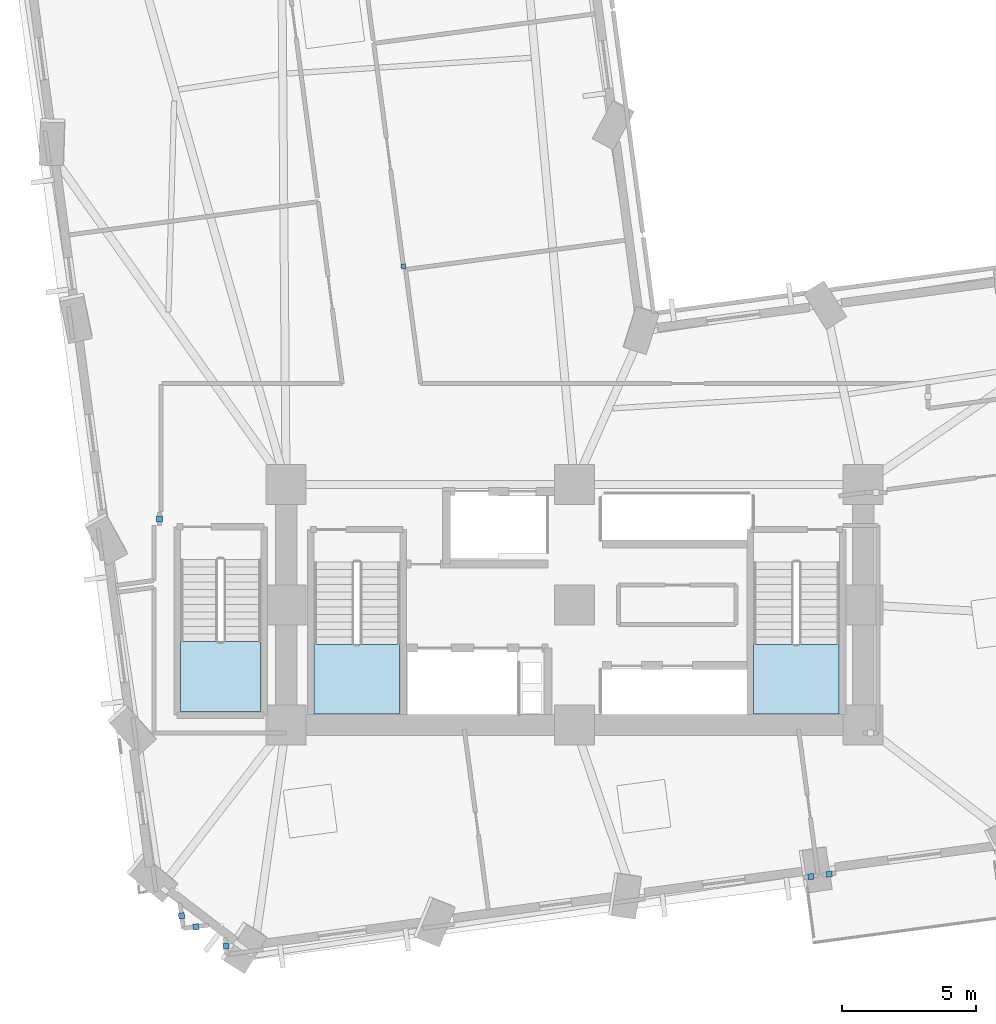
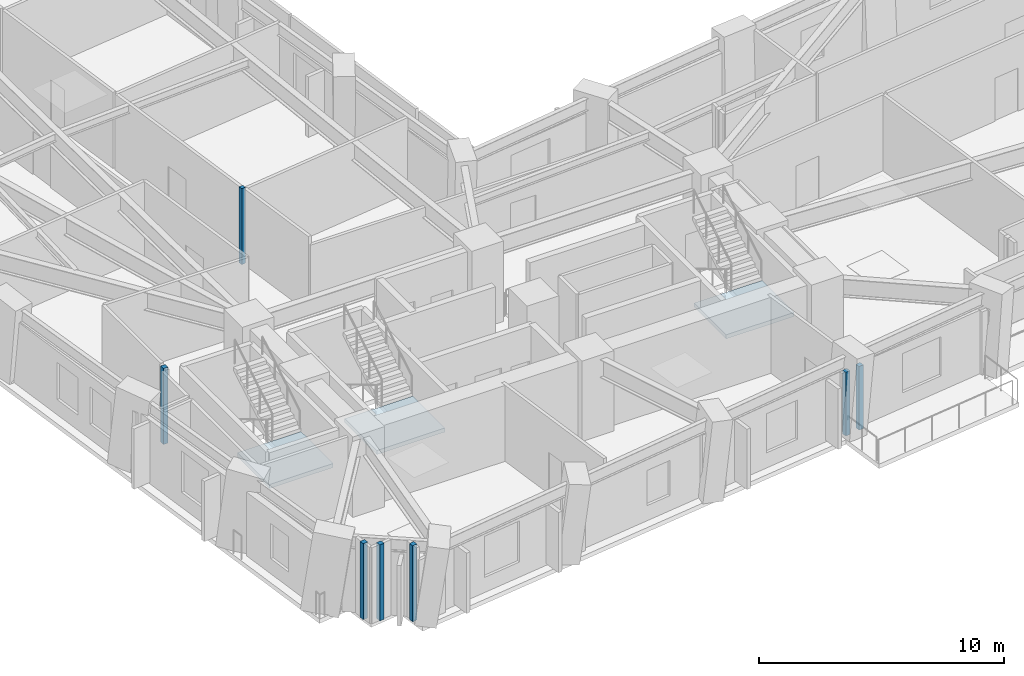
# One storey, part 3 of 14: 7 plates, 3 slabs, 3 elements without a shape of their own.
"""IFC4 building model written with IfcOpenShell, lengths in metres."""

from ifc_helpers import new_model, si_unit, direction, frame, origin, origin_2d, place, context, subcontext, project, spatial, polyline, rectangle, outline, extrude, material, layer, layer_set, type_object, element, aggregate, save


model = new_model("IFC4")

# Units and contexts
model_context = context("Model", 3, precision=1e-05, world=origin(), true_north=direction((0.0, 1.0)))
body_context = subcontext(model_context, "Body", "Model", "MODEL_VIEW")
ifc_project = project(units=[si_unit("LENGTHUNIT", "METRE"), si_unit("AREAUNIT", "SQUARE_METRE"), si_unit("VOLUMEUNIT", "CUBIC_METRE"), si_unit("PLANEANGLEUNIT", "RADIAN"), si_unit("MASSUNIT", "GRAM", prefix="KILO")], contexts=[model_context])

# Site, building, storey
site_placement = place(None, origin())
site = spatial("IfcSite", under=ifc_project, at=site_placement, CompositionType="ELEMENT")
building_placement = place(site_placement, origin())
building = spatial("IfcBuilding", under=site, at=building_placement, Name="Gaonmaruhae Medical Tower", CompositionType="ELEMENT")
storey_placement = place(building_placement, frame((0.0, 0.0, 55.0)))
storey = spatial("IfcBuildingStorey", under=building, at=storey_placement, Name="L12", CompositionType="ELEMENT", Elevation=55.0)

# Plates
ifc_material_1 = material(Name="Anodised aluminium 6063-T6", Category="aluminium")
ifc_layer_1 = layer(ifc_material_1, 0.011962890625)
ifc_layer_set_1 = layer_set([ifc_layer_1], Name="Anodised aluminium 6063-T6")
plate_type = type_object("IfcPlateType", Name="PP-01 Interior Partition Corner Stiffener Plate", PredefinedType="SHEET", material=ifc_layer_set_1)
plate_1_placement = place(storey_placement, frame((18.3935546875, 24.970703125, 0.0), z_axis=(0.0, 0.0, 1.0), x_axis=(-0.132273690212, 0.991213231791, 0.0)))
element("IfcPlate", 1, at=plate_1_placement, inside=storey, type_object=plate_type, Name="L12 Partition End Jamb Post Plate PLT-L12-ENDP-PW080-0", PredefinedType="SHEET", context=body_context, shape_type="SweptSolid", body=[
    extrude(rectangle(XDim=0.179931640625, YDim=0.179931640625, at=origin_2d()), origin(), (0.0, 0.0, 1.0), 3.780029296875),
])
for number, where, z_axis, x_axis, name in (
    (2, (11.7509765625, -0.472412109375, 0.0), (0.0, 0.0, 1.0), (-0.13154705749, 0.99130992715, 0.0), "L12 Partition Corner Stiffener Plate PLT-L12-JGP-PW011"),
    (3, (10.625, 0.24560546875, 0.0), (0.0, 0.0, 1.0), (-0.991183194329, -0.132498585953, 0.0), "L12 Partition Corner Stiffener Plate PLT-L12-JGP-PW012"),
    (4, (10.08642578125, 0.657470703125, 0.0), (0.0, 0.0, 1.0), (-0.13236018938, 0.99120168496, 0.0), "L12 Partition Corner Stiffener Plate PLT-L12-JGP-PW013"),
):
    element("IfcPlate", number, at=place(storey_placement, frame(where, z_axis=z_axis, x_axis=x_axis)), inside=storey, type_object=plate_type, Name=name, PredefinedType="SHEET", context=body_context, shape_type="SweptSolid", body=[
        extrude(rectangle(XDim=0.219970703125, YDim=0.219970703125, at=origin_2d()), origin(), (0.0, 0.0, 1.0), 3.780029296875),
    ])
for number, where, z_axis, x_axis, name in (
    (5, (33.6455078125, 2.12646484375, 0.0), (0.0, 0.0, 1.0), (-0.991243218225, -0.132048787661, 0.0), "L12 Partition Corner Stiffener Plate PLT-L12-JGP-PW016"),
    (6, (34.326416015625, 2.218017578125, 0.0), (0.0, 0.0, 1.0), (-0.991328284921, -0.131408643231, 0.0), "L12 Partition Corner Stiffener Plate PLT-L12-JGP-PW031"),
):
    element("IfcPlate", number, at=place(storey_placement, frame(where, z_axis=z_axis, x_axis=x_axis)), inside=storey, type_object=plate_type, Name=name, PredefinedType="SHEET", context=body_context, shape_type="SweptSolid", body=[
        extrude(rectangle(XDim=0.219970703125, YDim=0.219970703125, at=origin_2d()), origin(), (0.0, 0.0, 1.0), 3.1650390625),
    ])
plate_2_placement = place(storey_placement, frame((9.260009765625, 15.509033203125, 0.0), z_axis=(0.0, 0.0, 1.0), x_axis=(0.0, -1.0, 0.0)))
element("IfcPlate", 7, at=plate_2_placement, inside=storey, type_object=plate_type, Name="L12 Partition Corner Stiffener Plate PLT-L12-JGP-PW047", PredefinedType="SHEET", context=body_context, shape_type="SweptSolid", body=[
    extrude(rectangle(XDim=0.219970703125, YDim=0.219970703125, at=origin_2d()), origin(), (0.0, 0.0, 1.0), 3.780029296875),
])

# Stair, slab
ifc_material_2 = material(Name="Concrete C40/50", Category="concrete")
stair_type_1 = type_object("IfcStairType", Name="ST-T1 Primary Core Escape Dogleg Stair", PredefinedType="TWO_QUARTER_TURN_STAIR", material=ifc_material_2)
stair_1_placement = place(storey_placement, origin())
stair_1 = element("IfcStair", 8, at=stair_1_placement, inside=storey, type_object=stair_type_1, Name="L12 Protected Escape Stair ST-01", PredefinedType="TWO_QUARTER_TURN_STAIR")
ifc_layer_2 = layer(ifc_material_2, 0.199951171875)
ifc_layer_set_2 = layer_set([ifc_layer_2], Name="Concrete C40/50")
slab_type = type_object("IfcSlabType", Name="SL-200 Stair & Ramp Intermediate Concrete Landing", PredefinedType="LANDING", material=ifc_layer_set_2)
slab_1_placement = place(storey_placement, frame((0.0, 0.0, 1.800048828125)))
slab_1 = element("IfcSlab", 9, at=slab_1_placement, type_object=slab_type, Name="ST-01 landing 1", PredefinedType="LANDING", context=body_context, shape_type="SweptSolid", body=[
    extrude(outline(polyline([(15.050048828125, 10.820068359375), (15.050048828125, 8.2041015625), (18.25, 8.2041015625), (18.25, 10.820068359375), (15.050048828125, 10.820068359375)])), origin(), (0.0, 0.0, 1.0), 0.199951171875),
])
aggregate(stair_1, [slab_1])

stair_2_placement = place(storey_placement, origin())
stair_2 = element("IfcStair", 10, at=stair_2_placement, inside=storey, type_object=stair_type_1, Name="L12 Protected Escape Stair ST-02", PredefinedType="TWO_QUARTER_TURN_STAIR")
slab_2_placement = place(storey_placement, frame((0.0, 0.0, 1.800048828125)))
slab_2 = element("IfcSlab", 11, at=slab_2_placement, type_object=slab_type, Name="ST-02 landing 1", PredefinedType="LANDING", context=body_context, shape_type="SweptSolid", body=[
    extrude(outline(polyline([(31.5, 10.820068359375), (31.5, 8.2041015625), (34.699951171875, 8.2041015625), (34.699951171875, 10.820068359375), (31.5, 10.820068359375)])), origin(), (0.0, 0.0, 1.0), 0.199951171875),
])
aggregate(stair_2, [slab_2])

stair_type_2 = type_object("IfcStairType", Name="ST-T2 Zone 1 Escape Dogleg Stair", PredefinedType="TWO_QUARTER_TURN_STAIR", material=ifc_material_2)
stair_3_placement = place(storey_placement, origin())
stair_3 = element("IfcStair", 12, at=stair_3_placement, inside=storey, type_object=stair_type_2, Name="L12 Protected Escape Stair ST-03", PredefinedType="TWO_QUARTER_TURN_STAIR")
slab_3_placement = place(storey_placement, frame((0.0, 0.0, 1.800048828125)))
slab_3 = element("IfcSlab", 13, at=slab_3_placement, type_object=slab_type, Name="ST-03 landing 1", PredefinedType="LANDING", context=body_context, shape_type="SweptSolid", body=[
    extrude(outline(polyline([(10.050048828125, 10.919921875), (10.050048828125, 8.300048828125), (13.050048828125, 8.300048828125), (13.050048828125, 10.919921875), (10.050048828125, 10.919921875)])), origin(), (0.0, 0.0, 1.0), 0.199951171875),
])
aggregate(stair_3, [slab_3])

save(model, "model.ifc")
